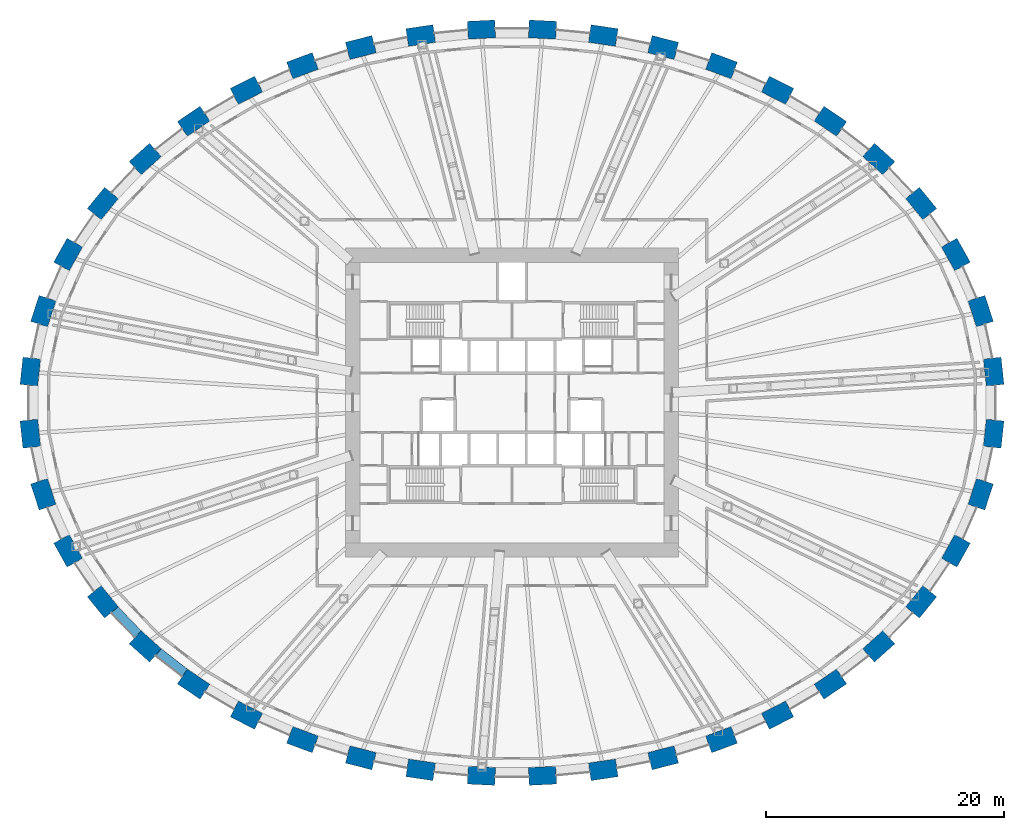
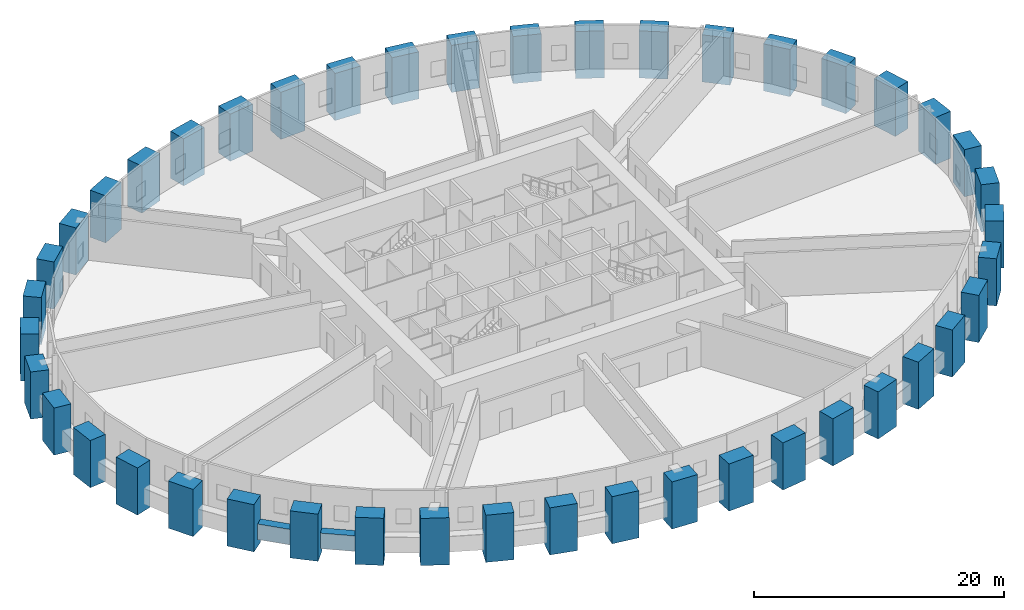
# One storey, part 1 of 14: 44 columns, 2 beams.
"""IFC4 building model written with IfcOpenShell, lengths in metres."""

from ifc_helpers import new_model, si_unit, direction, frame, origin, origin_2d, place, context, subcontext, project, spatial, rectangle, extrude, source, transform, mapped, material, material_profile, profile_set, type_object, element, save


model = new_model("IFC4")

# Units and contexts
model_context = context("Model", 3, precision=1e-05, world=origin(), true_north=direction((0.0, 1.0)))
body_context = subcontext(model_context, "Body", "Model", "MODEL_VIEW")
ifc_project = project(units=[si_unit("LENGTHUNIT", "METRE"), si_unit("AREAUNIT", "SQUARE_METRE"), si_unit("VOLUMEUNIT", "CUBIC_METRE"), si_unit("PLANEANGLEUNIT", "RADIAN"), si_unit("MASSUNIT", "GRAM", prefix="KILO")], contexts=[model_context])

# Site, building, storey
site_placement = place(None, origin())
site = spatial("IfcSite", under=ifc_project, at=site_placement, CompositionType="ELEMENT")
building_placement = place(site_placement, origin())
building = spatial("IfcBuilding", under=site, at=building_placement, Name="Embergate Tower", CompositionType="ELEMENT")
storey_placement = place(building_placement, frame((0.0, 0.0, 101.0)))
storey = spatial("IfcBuildingStorey", under=building, at=storey_placement, Name="L21", CompositionType="ELEMENT", Elevation=101.0)

# Columns
ifc_material = material(Name="Concrete C70", Category="concrete")
ifc_material_profile_1 = material_profile(ifc_material, rectangle(XDim=1.5, YDim=2.300048828125, at=origin_2d()), Name="RC 1500x2300")
ifc_profile_set_1 = profile_set([ifc_material_profile_1], Name="Concrete C70")
column_type = type_object("IfcColumnType", Name="Ring column RC 1500x2300 C70", PredefinedType="COLUMN", material=ifc_profile_set_1)
shared_shape_1 = source(origin(), body_context, "Body", "SweptSolid", [
    extrude(rectangle(XDim=1.5, YDim=2.300048828125, at=origin_2d()), origin(), (0.0, 0.0, 1.0), 4.60009765625),
])
for number, where, z_axis, x_axis, name in (
    (1, (40.527099609375, 2.60693359375, -1.5), (0.0, 0.0, 1.0), (0.99428589498, 0.106749983816, 0.0), "COL-L21-00"),
    (2, (39.430908203125, 7.700927734375, -1.5), (0.0, 0.0, 1.0), (0.950754033697, 0.309946394413, 0.0), "COL-L21-01"),
    (3, (37.343017578125, 12.464111328125, -1.5), (0.0, 0.0, 1.0), (0.873500465855, 0.486823311018, 0.0), "COL-L21-02"),
    (4, (34.426025390625, 16.7548828125, -1.5), (0.0, 0.0, 1.0), (0.775925311702, 0.630824786022, 0.0), "COL-L21-03"),
    (5, (30.85400390625, 20.5, -1.5), (0.0, 0.0, 1.0), (0.669221393633, 0.743063070206, 0.0), "COL-L21-04"),
    (6, (26.783935546875, 23.677001953125, -1.5), (0.0, 0.0, 1.0), (0.560407734638, 0.828216862275, 0.0), "COL-L21-05"),
    (7, (22.341064453125, 26.2890625, -1.5), (0.0, 0.0, 1.0), (0.453010512651, 0.891505174089, 0.0), "COL-L21-06"),
    (8, (17.625, 28.35205078125, -1.5), (0.0, 0.0, 1.0), (0.348343015724, 0.93736713373, 0.0), "COL-L21-07"),
    (9, (12.716064453125, 29.8798828125, -1.5), (0.0, 0.0, 1.0), (0.24650851817, 0.969140624713, 0.0), "COL-L21-08"),
    (10, (7.678955078125, 30.89111328125, -1.5), (0.0, 0.0, 1.0), (0.146929011949, 0.989147039346, 0.0), "COL-L21-09"),
    (11, (2.568115234375, 31.39306640625, -1.5), (0.0, 0.0, 1.0), (0.048814904854, 0.998807841912, 0.0), "COL-L21-10"),
    (12, (-2.568115234375, 31.39306640625, -1.5), (0.0, 0.0, 1.0), (-0.048814904854, 0.998807841912, 0.0), "COL-L21-11"),
    (13, (-7.678955078125, 30.89111328125, -1.5), (0.0, 0.0, 1.0), (-0.146929011949, 0.989147039346, 0.0), "COL-L21-12"),
    (14, (-12.716064453125, 29.8798828125, -1.5), (0.0, 0.0, 1.0), (-0.24650851817, 0.969140624713, 0.0), "COL-L21-13"),
    (15, (-17.625, 28.35205078125, -1.5), (0.0, 0.0, 1.0), (-0.348343015724, 0.93736713373, 0.0), "COL-L21-14"),
    (16, (-22.341064453125, 26.2890625, -1.5), (0.0, 0.0, 1.0), (-0.453010512651, 0.891505174089, 0.0), "COL-L21-15"),
    (17, (-26.783935546875, 23.677001953125, -1.5), (0.0, 0.0, 1.0), (-0.560407734638, 0.828216862275, 0.0), "COL-L21-16"),
    (18, (-30.85400390625, 20.5, -1.5), (0.0, 0.0, 1.0), (-0.669221393633, 0.743063070206, 0.0), "COL-L21-17"),
    (19, (-34.426025390625, 16.7548828125, -1.5), (0.0, 0.0, 1.0), (-0.775925311702, 0.630824786022, 0.0), "COL-L21-18"),
    (20, (-37.343017578125, 12.464111328125, -1.5), (0.0, 0.0, 1.0), (-0.873500465855, 0.486823311018, 0.0), "COL-L21-19"),
    (21, (-39.430908203125, 7.700927734375, -1.5), (0.0, 0.0, 1.0), (-0.950754033697, 0.309946394413, 0.0), "COL-L21-20"),
    (22, (-40.527099609375, 2.60693359375, -1.5), (0.0, 0.0, 1.0), (-0.99428589498, 0.106749983816, 0.0), "COL-L21-21"),
    (23, (-40.527099609375, -2.60693359375, -1.5), (0.0, 0.0, 1.0), (-0.99428589498, -0.106749983816, 0.0), "COL-L21-22"),
    (24, (-39.430908203125, -7.700927734375, -1.5), (0.0, 0.0, 1.0), (-0.950754033697, -0.309946394413, 0.0), "COL-L21-23"),
    (25, (-37.343017578125, -12.464111328125, -1.5), (0.0, 0.0, 1.0), (-0.873500465855, -0.486823311018, 0.0), "COL-L21-24"),
    (26, (-34.426025390625, -16.7548828125, -1.5), (0.0, 0.0, 1.0), (-0.775925311702, -0.630824786022, 0.0), "COL-L21-25"),
    (27, (-30.85400390625, -20.5, -1.5), (0.0, 0.0, 1.0), (-0.669221393633, -0.743063070206, 0.0), "COL-L21-26"),
    (28, (-26.783935546875, -23.677001953125, -1.5), (0.0, 0.0, 1.0), (-0.560407734638, -0.828216862275, 0.0), "COL-L21-27"),
    (29, (-22.341064453125, -26.2890625, -1.5), (0.0, 0.0, 1.0), (-0.453010512651, -0.891505174089, 0.0), "COL-L21-28"),
    (30, (-17.625, -28.35205078125, -1.5), (0.0, 0.0, 1.0), (-0.348343015724, -0.93736713373, 0.0), "COL-L21-29"),
    (31, (-12.716064453125, -29.8798828125, -1.5), (0.0, 0.0, 1.0), (-0.24650851817, -0.969140624713, 0.0), "COL-L21-30"),
    (32, (-7.678955078125, -30.89111328125, -1.5), (0.0, 0.0, 1.0), (-0.146929011949, -0.989147039346, 0.0), "COL-L21-31"),
    (33, (-2.568115234375, -31.39306640625, -1.5), (0.0, 0.0, 1.0), (-0.048814904854, -0.998807841912, 0.0), "COL-L21-32"),
    (34, (2.568115234375, -31.39306640625, -1.5), (0.0, 0.0, 1.0), (0.048814904854, -0.998807841912, 0.0), "COL-L21-33"),
    (35, (7.678955078125, -30.89111328125, -1.5), (0.0, 0.0, 1.0), (0.146929011949, -0.989147039346, 0.0), "COL-L21-34"),
    (36, (12.716064453125, -29.8798828125, -1.5), (0.0, 0.0, 1.0), (0.24650851817, -0.969140624713, 0.0), "COL-L21-35"),
    (37, (17.625, -28.35205078125, -1.5), (0.0, 0.0, 1.0), (0.348343015724, -0.93736713373, 0.0), "COL-L21-36"),
    (38, (22.341064453125, -26.2890625, -1.5), (0.0, 0.0, 1.0), (0.453010512651, -0.891505174089, 0.0), "COL-L21-37"),
    (39, (26.783935546875, -23.677001953125, -1.5), (0.0, 0.0, 1.0), (0.560407734638, -0.828216862275, 0.0), "COL-L21-38"),
    (40, (30.85400390625, -20.5, -1.5), (0.0, 0.0, 1.0), (0.669221393633, -0.743063070206, 0.0), "COL-L21-39"),
    (41, (34.426025390625, -16.7548828125, -1.5), (0.0, 0.0, 1.0), (0.775925311702, -0.630824786022, 0.0), "COL-L21-40"),
    (42, (37.343017578125, -12.464111328125, -1.5), (0.0, 0.0, 1.0), (0.873500465855, -0.486823311018, 0.0), "COL-L21-41"),
    (43, (39.430908203125, -7.700927734375, -1.5), (0.0, 0.0, 1.0), (0.950754033697, -0.309946394413, 0.0), "COL-L21-42"),
    (44, (40.527099609375, -2.60693359375, -1.5), (0.0, 0.0, 1.0), (0.99428589498, -0.106749983816, 0.0), "COL-L21-43"),
):
    element("IfcColumn", number, at=place(storey_placement, frame(where, z_axis=z_axis, x_axis=x_axis)), inside=storey, type_object=column_type, Name=name, PredefinedType="COLUMN", context=body_context, shape_type="MappedRepresentation", body=[
        mapped(shared_shape_1, transform((0.0, 0.0, 0.0))),
    ])

# Beams
ifc_material_profile_2 = material_profile(ifc_material, rectangle(XDim=0.75, YDim=1.5, at=origin_2d()), Name="RC 750x1500")
ifc_profile_set_2 = profile_set([ifc_material_profile_2], Name="Concrete C70")
beam_type = type_object("IfcBeamType", Name="Spandrel beam RC 750x1500 C70", PredefinedType="BEAM", material=ifc_profile_set_2)
shared_shape_2 = source(origin(), body_context, "Body", "SweptSolid", [
    extrude(rectangle(XDim=0.75, YDim=1.5, at=origin_2d()), origin(), (0.0, 0.0, 1.0), 2.826171875),
])
beam_1_placement = place(storey_placement, frame((-33.41796875, -17.4169921875, 0.0), z_axis=(0.690282598808, -0.723539863299, 0.0), x_axis=(0.723539863299, 0.690282598808, 0.0)))
element("IfcBeam", 45, at=beam_1_placement, inside=storey, type_object=beam_type, Name="SPN-L21-25", PredefinedType="BEAM", context=body_context, shape_type="MappedRepresentation", body=[
    mapped(shared_shape_2, transform((0.0, 0.0, 0.0))),
])
shared_shape_3 = source(origin(), body_context, "Body", "SweptSolid", [
    extrude(rectangle(XDim=0.75, YDim=1.5, at=origin_2d()), origin(), (0.0, 0.0, 1.0), 2.817138671875),
])
beam_2_placement = place(storey_placement, frame((-29.7490234375, -20.990966796875, 0.0), z_axis=(0.788361915434, -0.615211744275, 0.0), x_axis=(0.615211744275, 0.788361915434, 0.0)))
element("IfcBeam", 46, at=beam_2_placement, inside=storey, type_object=beam_type, Name="SPN-L21-26", PredefinedType="BEAM", context=body_context, shape_type="MappedRepresentation", body=[
    mapped(shared_shape_3, transform((0.0, 0.0, 0.0))),
])

save(model, "model.ifc")
